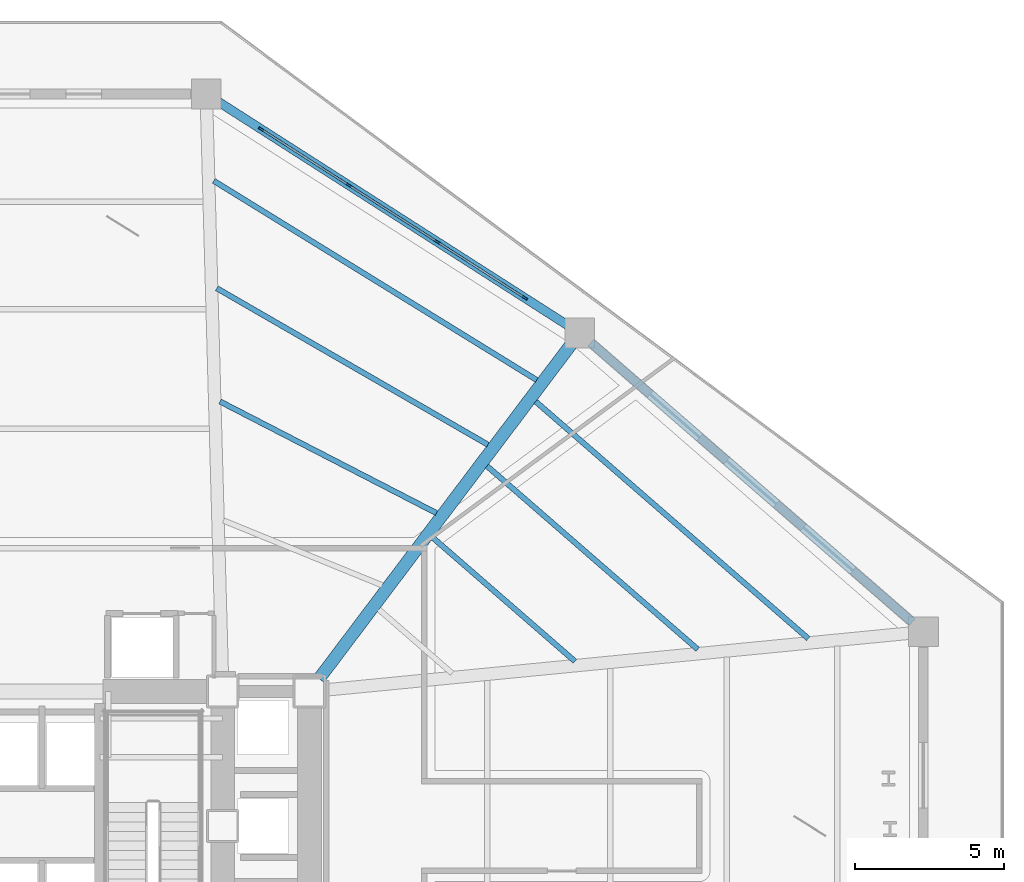
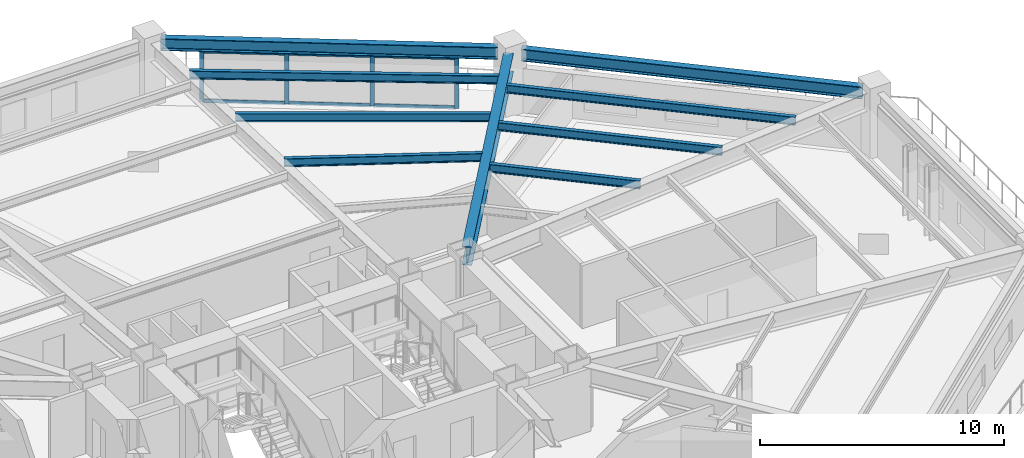
# One storey, part 4 of 12: 10 members, 9 beams, 1 element without a shape of its own.
"""IFC4 building model written with IfcOpenShell, lengths in metres."""

from ifc_helpers import new_model, si_unit, direction, frame, origin, origin_2d, place, context, subcontext, project, spatial, rectangle, i_section, extrude, material, layer, layer_set, material_profile, profile_set, type_object, element, aggregate, save


model = new_model("IFC4")

# Units and contexts
model_context = context("Model", 3, precision=1e-05, world=origin(), true_north=direction((0.0, 1.0)))
body_context = subcontext(model_context, "Body", "Model", "MODEL_VIEW")
ifc_project = project(units=[si_unit("LENGTHUNIT", "METRE"), si_unit("AREAUNIT", "SQUARE_METRE"), si_unit("VOLUMEUNIT", "CUBIC_METRE"), si_unit("PLANEANGLEUNIT", "RADIAN"), si_unit("MASSUNIT", "GRAM", prefix="KILO")], contexts=[model_context])

# Site, building, storey
site_placement = place(None, origin())
site = spatial("IfcSite", under=ifc_project, at=site_placement, CompositionType="ELEMENT")
building_placement = place(site_placement, origin())
building = spatial("IfcBuilding", under=site, at=building_placement, Name="Rocaltana Carrier Exchange", CompositionType="ELEMENT")
storey_placement = place(building_placement, frame((0.0, 0.0, 11.840087890625)))
storey = spatial("IfcBuildingStorey", under=building, at=storey_placement, Name="L04", CompositionType="ELEMENT", Elevation=11.840087890625)

# Curtain wall, members
ifc_material_1 = material(Name="Aluminium 6063-T6", Category="aluminium")
ifc_layer = layer(ifc_material_1, 0.179931640625)
ifc_layer_set = layer_set([ifc_layer], Name="Aluminium 6063-T6")
curtain_wall_type = type_object("IfcCurtainWallType", Name="Sandstone Spandrel Unitised Curtain Wall CW-01", PredefinedType="NOTDEFINED", material=ifc_layer_set)
curtain_wall_placement = place(storey_placement, origin())
curtain_wall = element("IfcCurtainWall", 1, at=curtain_wall_placement, inside=storey, type_object=curtain_wall_type, Name="L04 CW-01 Run CW01-POD-L04-B07", PredefinedType="NOTDEFINED")
ifc_material_2 = material(Name="Aluminium 6063-T6", Category="aluminium")
ifc_material_profile_1 = material_profile(ifc_material_2, rectangle(XDim=0.06494140625, YDim=0.179931640625, at=origin_2d()), Name="AL-65X180")
ifc_profile_set_1 = profile_set([ifc_material_profile_1], Name="Aluminium 6063-T6")
member_type_1 = type_object("IfcMemberType", Name="CW-01 Mullion AL-65X180", PredefinedType="MULLION", material=ifc_profile_set_1)
member_1_placement = place(storey_placement, frame((7.33837890625, 23.323486328125, 0.0), z_axis=(0.0, 0.0, 1.0), x_axis=(0.539050465884, 0.842273468198, 0.0)))
member_1 = element("IfcMember", 2, at=member_1_placement, type_object=member_type_1, Name="CW-01 mullion 1", PredefinedType="MULLION", context=body_context, shape_type="SweptSolid", body=[
    extrude(rectangle(XDim=0.06494140625, YDim=0.179931640625, at=origin_2d()), origin(), (0.0, 0.0, 1.0), 2.5478515625),
])
member_2_placement = place(storey_placement, frame((10.270263671875, 21.447021484375, 0.0), z_axis=(0.0, 0.0, 1.0), x_axis=(0.539050465884, 0.842273468198, 0.0)))
member_2 = element("IfcMember", 3, at=member_2_placement, type_object=member_type_1, Name="CW-01 mullion 2", PredefinedType="MULLION", context=body_context, shape_type="SweptSolid", body=[
    extrude(rectangle(XDim=0.06494140625, YDim=0.179931640625, at=origin_2d()), origin(), (0.0, 0.0, 1.0), 2.5478515625),
])
member_3_placement = place(storey_placement, frame((13.229736328125, 19.552978515625, 0.0), z_axis=(0.0, 0.0, 1.0), x_axis=(0.539050465884, 0.842273468198, 0.0)))
member_3 = element("IfcMember", 4, at=member_3_placement, type_object=member_type_1, Name="CW-01 mullion 3", PredefinedType="MULLION", context=body_context, shape_type="SweptSolid", body=[
    extrude(rectangle(XDim=0.06494140625, YDim=0.179931640625, at=origin_2d()), origin(), (0.0, 0.0, 1.0), 2.5478515625),
])
member_4_placement = place(storey_placement, frame((16.16162109375, 17.676513671875, 0.0), z_axis=(0.0, 0.0, 1.0), x_axis=(0.539050465884, 0.842273468198, 0.0)))
member_4 = element("IfcMember", 5, at=member_4_placement, type_object=member_type_1, Name="CW-01 mullion 4", PredefinedType="MULLION", context=body_context, shape_type="SweptSolid", body=[
    extrude(rectangle(XDim=0.06494140625, YDim=0.179931640625, at=origin_2d()), origin(), (0.0, 0.0, 1.0), 2.5478515625),
])
ifc_material_3 = material(Name="Aluminium 6063-T6", Category="aluminium")
ifc_material_profile_2 = material_profile(ifc_material_3, rectangle(XDim=0.06494140625, YDim=0.179931640625, at=origin_2d()), Name="AL-65X180")
ifc_profile_set_2 = profile_set([ifc_material_profile_2], Name="Aluminium 6063-T6")
member_type_2 = type_object("IfcMemberType", Name="CW-01 Transom AL-65X180", PredefinedType="USERDEFINED", material=ifc_profile_set_2)
member_5_placement = place(storey_placement, frame((7.36572265625, 23.305908203125, 0.032470703125), z_axis=(0.842284380374, -0.539033415085, 0.0), x_axis=(0.539033415085, 0.842284380374, 0.0)))
member_5 = element("IfcMember", 6, at=member_5_placement, type_object=member_type_2, Name="CW-01 transom 1.1", ObjectType="TRANSOM", PredefinedType="USERDEFINED", context=body_context, shape_type="SweptSolid", body=[
    extrude(rectangle(XDim=0.06494140625, YDim=0.179931640625, at=origin_2d()), origin(), (0.0, 0.0, 1.0), 3.416015625),
])
member_6_placement = place(storey_placement, frame((7.36572265625, 23.305908203125, 2.515380859375), z_axis=(0.842284380374, -0.539033415085, 0.0), x_axis=(0.539033415085, 0.842284380374, 0.0)))
member_6 = element("IfcMember", 7, at=member_6_placement, type_object=member_type_2, Name="CW-01 transom 1.2", ObjectType="TRANSOM", PredefinedType="USERDEFINED", context=body_context, shape_type="SweptSolid", body=[
    extrude(rectangle(XDim=0.06494140625, YDim=0.179931640625, at=origin_2d()), origin(), (0.0, 0.0, 1.0), 3.416015625),
])
member_7_placement = place(storey_placement, frame((10.297607421875, 21.429443359375, 0.032470703125), z_axis=(0.84229454219, -0.539017536076, 0.0), x_axis=(0.539017536076, 0.84229454219, 0.0)))
member_7 = element("IfcMember", 8, at=member_7_placement, type_object=member_type_2, Name="CW-01 transom 2.1", ObjectType="TRANSOM", PredefinedType="USERDEFINED", context=body_context, shape_type="SweptSolid", body=[
    extrude(rectangle(XDim=0.06494140625, YDim=0.179931640625, at=origin_2d()), origin(), (0.0, 0.0, 1.0), 3.44873046875),
])
member_8_placement = place(storey_placement, frame((10.297607421875, 21.429443359375, 2.515380859375), z_axis=(0.84229454219, -0.539017536076, 0.0), x_axis=(0.539017536076, 0.84229454219, 0.0)))
member_8 = element("IfcMember", 9, at=member_8_placement, type_object=member_type_2, Name="CW-01 transom 2.2", ObjectType="TRANSOM", PredefinedType="USERDEFINED", context=body_context, shape_type="SweptSolid", body=[
    extrude(rectangle(XDim=0.06494140625, YDim=0.179931640625, at=origin_2d()), origin(), (0.0, 0.0, 1.0), 3.44873046875),
])
member_9_placement = place(storey_placement, frame((13.257080078125, 19.535400390625, 0.032470703125), z_axis=(0.842284380374, -0.539033415085, 0.0), x_axis=(0.539033415085, 0.842284380374, 0.0)))
member_9 = element("IfcMember", 10, at=member_9_placement, type_object=member_type_2, Name="CW-01 transom 3.1", ObjectType="TRANSOM", PredefinedType="USERDEFINED", context=body_context, shape_type="SweptSolid", body=[
    extrude(rectangle(XDim=0.06494140625, YDim=0.179931640625, at=origin_2d()), origin(), (0.0, 0.0, 1.0), 3.416015625),
])
member_10_placement = place(storey_placement, frame((13.257080078125, 19.535400390625, 2.515380859375), z_axis=(0.842284380374, -0.539033415085, 0.0), x_axis=(0.539033415085, 0.842284380374, 0.0)))
member_10 = element("IfcMember", 11, at=member_10_placement, type_object=member_type_2, Name="CW-01 transom 3.2", ObjectType="TRANSOM", PredefinedType="USERDEFINED", context=body_context, shape_type="SweptSolid", body=[
    extrude(rectangle(XDim=0.06494140625, YDim=0.179931640625, at=origin_2d()), origin(), (0.0, 0.0, 1.0), 3.416015625),
])
aggregate(curtain_wall, [member_1, member_2, member_3, member_4, member_5, member_6, member_7, member_8, member_9, member_10])

# Beams
ifc_material_4 = material(Name="Steel S355", Category="steel")
ifc_material_profile_3 = material_profile(ifc_material_4, i_section(OverallWidth=0.179931640625, OverallDepth=0.4130859375, WebThickness=0.009765625, FlangeThickness=0.01611328125, FilletRadius=0.012939453125, at=origin_2d()), Name="W16X50")
ifc_profile_set_3 = profile_set([ifc_material_profile_3], Name="Steel S355")
beam_type_1 = type_object("IfcBeamType", Name="Floor Joist W16X50", PredefinedType="JOIST", material=ifc_profile_set_3)
beam_1_placement = place(storey_placement, frame((17.8388671875, 5.51318359375, 2.971435546875), z_axis=(-0.754611362598, 0.656171998364, 0.0), x_axis=(-0.656171998364, -0.754611362598, 0.0)))
element("IfcBeam", 12, at=beam_1_placement, inside=storey, type_object=beam_type_1, Name="FJ-POD-05-2-L04", PredefinedType="JOIST", context=body_context, shape_type="SweptSolid", body=[
    extrude(i_section(OverallWidth=0.179931640625, OverallDepth=0.4130859375, WebThickness=0.009765625, FlangeThickness=0.01611328125, FilletRadius=0.012939453125, at=origin_2d()), origin(), (0.0, 0.0, 1.0), 6.299560546875),
])
beam_2_placement = place(storey_placement, frame((21.94873046875, 5.9130859375, 2.971435546875), z_axis=(-0.75458752856, 0.656199406996, 0.0), x_axis=(-0.656199406996, -0.75458752856, 0.0)))
element("IfcBeam", 13, at=beam_2_placement, inside=storey, type_object=beam_type_1, Name="FJ-POD-05-3-L04", PredefinedType="JOIST", context=body_context, shape_type="SweptSolid", body=[
    extrude(i_section(OverallWidth=0.179931640625, OverallDepth=0.4130859375, WebThickness=0.009765625, FlangeThickness=0.01611328125, FilletRadius=0.012939453125, at=origin_2d()), origin(), (0.0, 0.0, 1.0), 9.347412109375),
])
beam_3_placement = place(storey_placement, frame((25.647705078125, 6.273193359375, 2.971435546875), z_axis=(-0.754602044397, 0.656182714335, 0.0), x_axis=(-0.656182714335, -0.754602044397, 0.0)))
element("IfcBeam", 14, at=beam_3_placement, inside=storey, type_object=beam_type_1, Name="FJ-POD-05-4-L04", PredefinedType="JOIST", context=body_context, shape_type="SweptSolid", body=[
    extrude(i_section(OverallWidth=0.179931640625, OverallDepth=0.4130859375, WebThickness=0.009765625, FlangeThickness=0.01611328125, FilletRadius=0.012939453125, at=origin_2d()), origin(), (0.0, 0.0, 1.0), 12.090576171875),
])
beam_4_placement = place(storey_placement, frame((13.2041015625, 10.472900390625, 2.971435546875), z_axis=(-0.888834436329, 0.45822848536, 0.0), x_axis=(-0.45822848536, -0.888834436329, 0.0)))
element("IfcBeam", 15, at=beam_4_placement, inside=storey, type_object=beam_type_1, Name="FJ-POD-06-2-L04", PredefinedType="JOIST", context=body_context, shape_type="SweptSolid", body=[
    extrude(i_section(OverallWidth=0.179931640625, OverallDepth=0.4130859375, WebThickness=0.009765625, FlangeThickness=0.01611328125, FilletRadius=0.012939453125, at=origin_2d()), origin(), (0.0, 0.0, 1.0), 8.149169921875),
])
beam_5_placement = place(storey_placement, frame((14.92822265625, 12.761474609375, 2.971435546875), z_axis=(-0.866158045768, 0.499770186937, 0.0), x_axis=(-0.499770186937, -0.866158045768, 0.0)))
element("IfcBeam", 16, at=beam_5_placement, inside=storey, type_object=beam_type_1, Name="FJ-POD-06-3-L04", PredefinedType="JOIST", context=body_context, shape_type="SweptSolid", body=[
    extrude(i_section(OverallWidth=0.179931640625, OverallDepth=0.4130859375, WebThickness=0.009765625, FlangeThickness=0.01611328125, FilletRadius=0.012939453125, at=origin_2d()), origin(), (0.0, 0.0, 1.0), 10.47900390625),
])
beam_6_placement = place(storey_placement, frame((16.560302734375, 14.926513671875, 2.971435546875), z_axis=(-0.851153693572, 0.524916555196, 0.0), x_axis=(-0.524916555196, -0.851153693572, 0.0)))
element("IfcBeam", 17, at=beam_6_placement, inside=storey, type_object=beam_type_1, Name="FJ-POD-06-4-L04", PredefinedType="JOIST", context=body_context, shape_type="SweptSolid", body=[
    extrude(i_section(OverallWidth=0.179931640625, OverallDepth=0.4130859375, WebThickness=0.009765625, FlangeThickness=0.01611328125, FilletRadius=0.012939453125, at=origin_2d()), origin(), (0.0, 0.0, 1.0), 12.701171875),
])
ifc_material_5 = material(Name="Steel S355", Category="steel")
ifc_material_profile_4 = material_profile(ifc_material_5, i_section(OverallWidth=0.41796875, OverallDepth=0.927001953125, WebThickness=0.019287109375, FlangeThickness=0.031982421875, FilletRadius=0.02197265625, at=origin_2d()), Name="W36X231")
ifc_profile_set_4 = profile_set([ifc_material_profile_4], Name="Steel S355")
beam_type_2 = type_object("IfcBeamType", Name="Heavy Floor Girder W36X231", PredefinedType="BEAM", material=ifc_profile_set_4)
beam_7_placement = place(storey_placement, frame((9.2763671875, 4.9326171875, 2.71435546875), z_axis=(0.602127359797, 0.798400051718, 0.0), x_axis=(-0.798400051718, 0.602127359797, 0.0)))
element("IfcBeam", 18, at=beam_7_placement, inside=storey, type_object=beam_type_2, Name="BM-PODG-07-L04", PredefinedType="BEAM", context=body_context, shape_type="SweptSolid", body=[
    extrude(i_section(OverallWidth=0.41796875, OverallDepth=0.927001953125, WebThickness=0.019287109375, FlangeThickness=0.031982421875, FilletRadius=0.02197265625, at=origin_2d()), origin(), (0.0, 0.0, 1.0), 13.99609375),
])
ifc_material_6 = material(Name="Steel S355", Category="steel")
ifc_material_profile_5 = material_profile(ifc_material_6, i_section(OverallWidth=0.300048828125, OverallDepth=0.60009765625, WebThickness=0.015380859375, FlangeThickness=0.030029296875, FilletRadius=0.027099609375, at=origin_2d()), Name="HEB600")
ifc_profile_set_5 = profile_set([ifc_material_profile_5], Name="Steel S355")
beam_type_3 = type_object("IfcBeamType", Name="Spandrel Edge Beam HEB600", PredefinedType="SPANDREL", material=ifc_profile_set_5)
beam_8_placement = place(storey_placement, frame((29.128662109375, 6.82275390625, 2.8779296875), z_axis=(-0.754595198685, 0.656190586737, 0.0), x_axis=(-0.656190586737, -0.754595198685, 0.0)))
element("IfcBeam", 19, at=beam_8_placement, inside=storey, type_object=beam_type_3, Name="BM-PODR-06-L04", PredefinedType="SPANDREL", context=body_context, shape_type="SweptSolid", body=[
    extrude(i_section(OverallWidth=0.300048828125, OverallDepth=0.60009765625, WebThickness=0.015380859375, FlangeThickness=0.030029296875, FilletRadius=0.027099609375, at=origin_2d()), origin(), (0.0, 0.0, 1.0), 14.255859375),
])
beam_9_placement = place(storey_placement, frame((17.585693359375, 16.76513671875, 2.8779296875), z_axis=(-0.842270120768, 0.539055696252, 0.0), x_axis=(-0.539055696252, -0.842270120768, 0.0)))
element("IfcBeam", 20, at=beam_9_placement, inside=storey, type_object=beam_type_3, Name="BM-PODR-07-L04", PredefinedType="SPANDREL", context=body_context, shape_type="SweptSolid", body=[
    extrude(i_section(OverallWidth=0.300048828125, OverallDepth=0.60009765625, WebThickness=0.015380859375, FlangeThickness=0.030029296875, FilletRadius=0.027099609375, at=origin_2d()), origin(), (0.0, 0.0, 1.0), 13.857177734375),
])

save(model, "model.ifc")
